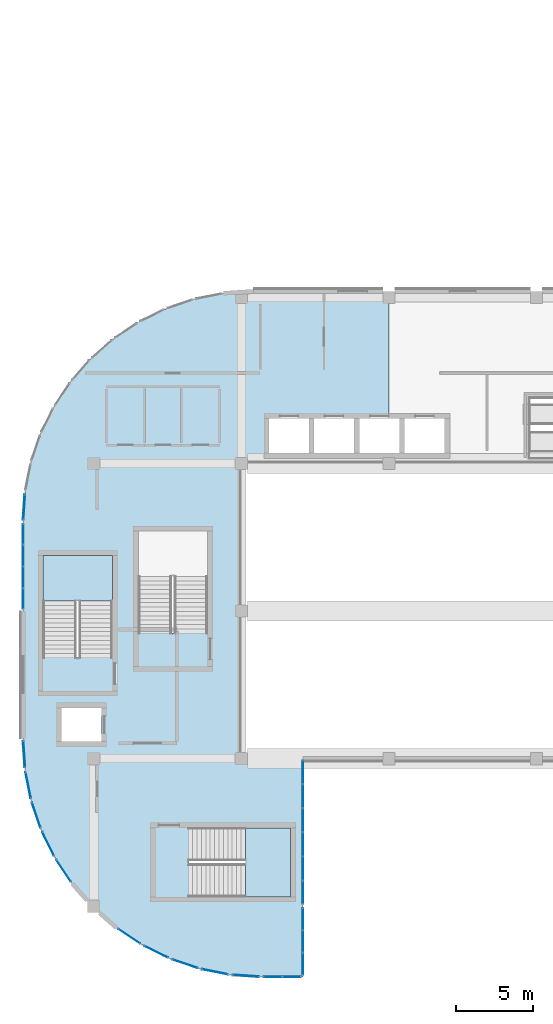
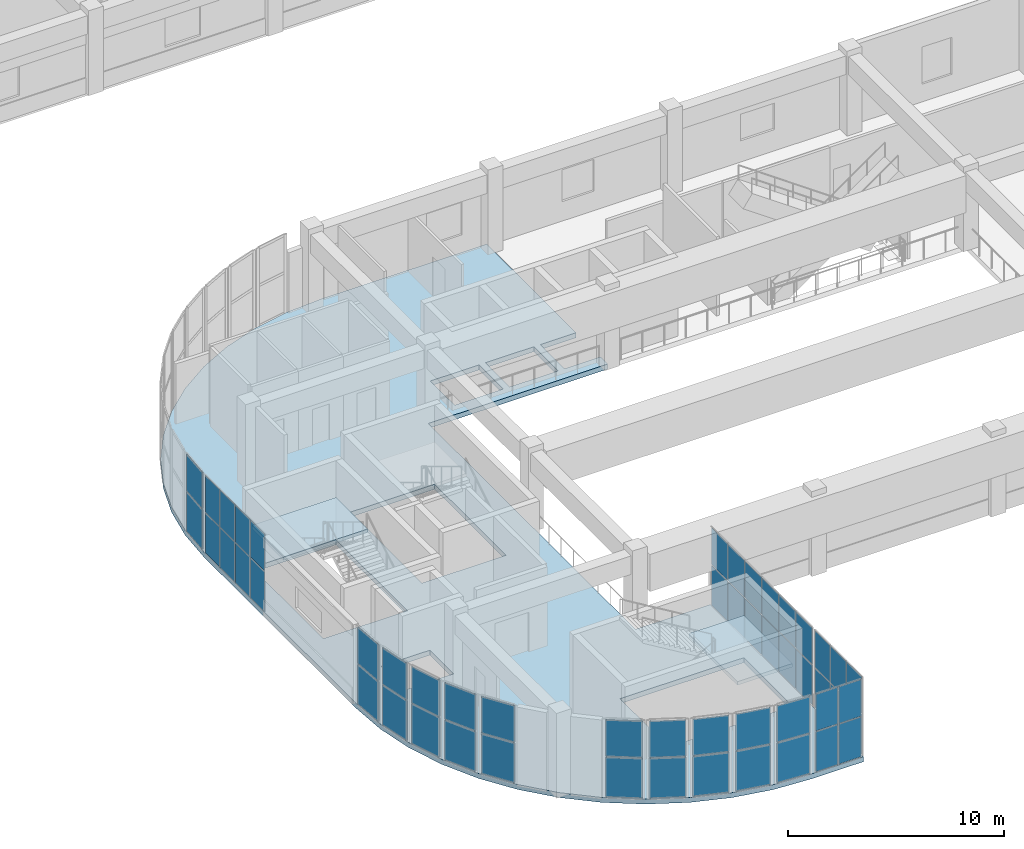
# One storey, part 16 of 33: 52 plates, 3 slabs, 17 elements without a shape of their own.
"""IFC4 building model written with IfcOpenShell, lengths in metres."""

from ifc_helpers import new_model, si_unit, direction, frame, origin, origin_2d, place, context, subcontext, project, spatial, polyline, rectangle, outline, extrude, material, layer, layer_set, type_object, element, aggregate, save


model = new_model("IFC4")

# Units and contexts
model_context = context("Model", 3, precision=1e-05, world=origin(), true_north=direction((0.0, 1.0)))
body_context = subcontext(model_context, "Body", "Model", "MODEL_VIEW")
ifc_project = project(units=[si_unit("LENGTHUNIT", "METRE"), si_unit("AREAUNIT", "SQUARE_METRE"), si_unit("VOLUMEUNIT", "CUBIC_METRE"), si_unit("PLANEANGLEUNIT", "RADIAN"), si_unit("MASSUNIT", "GRAM", prefix="KILO")], contexts=[model_context])

# Site, building, storey
site_placement = place(None, origin())
site = spatial("IfcSite", under=ifc_project, at=site_placement, CompositionType="ELEMENT")
building_placement = place(site_placement, origin())
building = spatial("IfcBuilding", under=site, at=building_placement, Name="Cendralis Terraced Arcade", CompositionType="ELEMENT")
storey_placement = place(building_placement, frame((0.0, 0.0, 19.800048828125)))
storey = spatial("IfcBuildingStorey", under=building, at=storey_placement, Name="L04", CompositionType="ELEMENT", Elevation=19.800048828125)

# Curtain wall, plates
ifc_material_1 = material(Name="Anodised aluminium EN AW-6063 T6", Category="aluminium")
ifc_layer_1 = layer(ifc_material_1, 0.1201171875, Name="CW-STORE-B")
ifc_layer_set_1 = layer_set([ifc_layer_1], Name="Anodised aluminium EN AW-6063 T6")
curtain_wall_type_1 = type_object("IfcCurtainWallType", Name="CW-STORE-B", PredefinedType="USERDEFINED", material=ifc_layer_set_1)
curtain_wall_1_placement = place(storey_placement, origin())
curtain_wall_1 = element("IfcCurtainWall", 1, at=curtain_wall_1_placement, inside=storey, type_object=curtain_wall_type_1, Name="Exterior Storefront Glazing CW-L04-0351", ObjectType="STOREFRONT GLAZING", PredefinedType="USERDEFINED")
ifc_material_2 = material(Name="Tempered solar control laminated glass", Category="glass")
ifc_layer_2 = layer(ifc_material_2, 0.02392578125, Name="CW-STORE-B-PNL")
ifc_layer_set_2 = layer_set([ifc_layer_2], Name="Tempered solar control laminated glass")
plate_type_1 = type_object("IfcPlateType", Name="CW-STORE-B-PNL", PredefinedType="CURTAIN_PANEL", material=ifc_layer_set_2)
plate_1_placement = place(storey_placement, frame((23.199951171875, 18.311279296875, 0.054931640625), z_axis=(0.0, 0.0, 1.0), x_axis=(0.0, -1.0, 0.0)))
plate_1 = element("IfcPlate", 2, at=plate_1_placement, type_object=plate_type_1, Name="CW-S2 panel 1.1", PredefinedType="CURTAIN_PANEL", context=body_context, shape_type="SweptSolid", body=[
    extrude(rectangle(XDim=1.487548828125, YDim=0.02392578125, at=origin_2d()), origin(), (0.0, 0.0, 1.0), 2.2470703125),
])
plate_2_placement = place(storey_placement, frame((23.199951171875, 18.311279296875, 2.357177734375), z_axis=(0.0, 0.0, 1.0), x_axis=(0.0, -1.0, 0.0)))
plate_2 = element("IfcPlate", 3, at=plate_2_placement, type_object=plate_type_1, Name="CW-S2 panel 1.2", PredefinedType="CURTAIN_PANEL", context=body_context, shape_type="SweptSolid", body=[
    extrude(rectangle(XDim=1.487548828125, YDim=0.02392578125, at=origin_2d()), origin(), (0.0, 0.0, 1.0), 2.06787109375),
])
plate_3_placement = place(storey_placement, frame((23.199951171875, 16.7548828125, 0.054931640625), z_axis=(0.0, 0.0, 1.0), x_axis=(0.0, -1.0, 0.0)))
plate_3 = element("IfcPlate", 4, at=plate_3_placement, type_object=plate_type_1, Name="CW-S2 panel 2.1", PredefinedType="CURTAIN_PANEL", context=body_context, shape_type="SweptSolid", body=[
    extrude(rectangle(XDim=1.514892578125, YDim=0.02392578125, at=origin_2d()), origin(), (0.0, 0.0, 1.0), 2.2470703125),
])
plate_4_placement = place(storey_placement, frame((23.199951171875, 16.7548828125, 2.357177734375), z_axis=(0.0, 0.0, 1.0), x_axis=(0.0, -1.0, 0.0)))
plate_4 = element("IfcPlate", 5, at=plate_4_placement, type_object=plate_type_1, Name="CW-S2 panel 2.2", PredefinedType="CURTAIN_PANEL", context=body_context, shape_type="SweptSolid", body=[
    extrude(rectangle(XDim=1.514892578125, YDim=0.02392578125, at=origin_2d()), origin(), (0.0, 0.0, 1.0), 2.06787109375),
])
plate_5_placement = place(storey_placement, frame((23.199951171875, 15.18505859375, 0.054931640625), z_axis=(0.0, 0.0, 1.0), x_axis=(0.0, -1.0, 0.0)))
plate_5 = element("IfcPlate", 6, at=plate_5_placement, type_object=plate_type_1, Name="CW-S2 panel 3.1", PredefinedType="CURTAIN_PANEL", context=body_context, shape_type="SweptSolid", body=[
    extrude(rectangle(XDim=1.514892578125, YDim=0.02392578125, at=origin_2d()), origin(), (0.0, 0.0, 1.0), 2.2470703125),
])
plate_6_placement = place(storey_placement, frame((23.199951171875, 15.18505859375, 2.357177734375), z_axis=(0.0, 0.0, 1.0), x_axis=(0.0, -1.0, 0.0)))
plate_6 = element("IfcPlate", 7, at=plate_6_placement, type_object=plate_type_1, Name="CW-S2 panel 3.2", PredefinedType="CURTAIN_PANEL", context=body_context, shape_type="SweptSolid", body=[
    extrude(rectangle(XDim=1.514892578125, YDim=0.02392578125, at=origin_2d()), origin(), (0.0, 0.0, 1.0), 2.06787109375),
])
plate_7_placement = place(storey_placement, frame((23.199951171875, 13.614990234375, 0.054931640625), z_axis=(0.0, 0.0, 1.0), x_axis=(0.0, -1.0, 0.0)))
plate_7 = element("IfcPlate", 8, at=plate_7_placement, type_object=plate_type_1, Name="CW-S2 panel 4.1", PredefinedType="CURTAIN_PANEL", context=body_context, shape_type="SweptSolid", body=[
    extrude(rectangle(XDim=1.514892578125, YDim=0.02392578125, at=origin_2d()), origin(), (0.0, 0.0, 1.0), 2.2470703125),
])
plate_8_placement = place(storey_placement, frame((23.199951171875, 13.614990234375, 2.357177734375), z_axis=(0.0, 0.0, 1.0), x_axis=(0.0, -1.0, 0.0)))
plate_8 = element("IfcPlate", 9, at=plate_8_placement, type_object=plate_type_1, Name="CW-S2 panel 4.2", PredefinedType="CURTAIN_PANEL", context=body_context, shape_type="SweptSolid", body=[
    extrude(rectangle(XDim=1.514892578125, YDim=0.02392578125, at=origin_2d()), origin(), (0.0, 0.0, 1.0), 2.06787109375),
])
plate_9_placement = place(storey_placement, frame((23.199951171875, 12.044921875, 0.054931640625), z_axis=(0.0, 0.0, 1.0), x_axis=(0.0, -1.0, 0.0)))
plate_9 = element("IfcPlate", 10, at=plate_9_placement, type_object=plate_type_1, Name="CW-S2 panel 5.1", PredefinedType="CURTAIN_PANEL", context=body_context, shape_type="SweptSolid", body=[
    extrude(rectangle(XDim=1.514892578125, YDim=0.02392578125, at=origin_2d()), origin(), (0.0, 0.0, 1.0), 2.2470703125),
])
plate_10_placement = place(storey_placement, frame((23.199951171875, 12.044921875, 2.357177734375), z_axis=(0.0, 0.0, 1.0), x_axis=(0.0, -1.0, 0.0)))
plate_10 = element("IfcPlate", 11, at=plate_10_placement, type_object=plate_type_1, Name="CW-S2 panel 5.2", PredefinedType="CURTAIN_PANEL", context=body_context, shape_type="SweptSolid", body=[
    extrude(rectangle(XDim=1.514892578125, YDim=0.02392578125, at=origin_2d()), origin(), (0.0, 0.0, 1.0), 2.06787109375),
])
plate_11_placement = place(storey_placement, frame((23.199951171875, 10.48876953125, 0.054931640625), z_axis=(0.0, 0.0, 1.0), x_axis=(0.0, -1.0, 0.0)))
plate_11 = element("IfcPlate", 12, at=plate_11_placement, type_object=plate_type_1, Name="CW-S2 panel 6.1", PredefinedType="CURTAIN_PANEL", context=body_context, shape_type="SweptSolid", body=[
    extrude(rectangle(XDim=1.487548828125, YDim=0.02392578125, at=origin_2d()), origin(), (0.0, 0.0, 1.0), 2.2470703125),
])
plate_12_placement = place(storey_placement, frame((23.199951171875, 10.48876953125, 2.357177734375), z_axis=(0.0, 0.0, 1.0), x_axis=(0.0, -1.0, 0.0)))
plate_12 = element("IfcPlate", 13, at=plate_12_placement, type_object=plate_type_1, Name="CW-S2 panel 6.2", PredefinedType="CURTAIN_PANEL", context=body_context, shape_type="SweptSolid", body=[
    extrude(rectangle(XDim=1.487548828125, YDim=0.02392578125, at=origin_2d()), origin(), (0.0, 0.0, 1.0), 2.06787109375),
])
aggregate(curtain_wall_1, [plate_1, plate_2, plate_3, plate_4, plate_5, plate_6, plate_7, plate_8, plate_9, plate_10, plate_11, plate_12])

curtain_wall_2_placement = place(storey_placement, origin())
curtain_wall_2 = element("IfcCurtainWall", 14, at=curtain_wall_2_placement, inside=storey, type_object=curtain_wall_type_1, Name="Exterior Storefront Glazing CW-L04-0352", ObjectType="STOREFRONT GLAZING", PredefinedType="USERDEFINED")
plate_13_placement = place(storey_placement, frame((23.199951171875, 8.759521484375, 0.054931640625), z_axis=(0.0, 0.0, 1.0), x_axis=(0.0, -1.0, 0.0)))
plate_13 = element("IfcPlate", 15, at=plate_13_placement, type_object=plate_type_1, Name="CW-S2 panel 1.1", PredefinedType="CURTAIN_PANEL", context=body_context, shape_type="SweptSolid", body=[
    extrude(rectangle(XDim=1.390869140625, YDim=0.02392578125, at=origin_2d()), origin(), (0.0, 0.0, 1.0), 2.2470703125),
])
plate_14_placement = place(storey_placement, frame((23.199951171875, 8.759521484375, 2.357177734375), z_axis=(0.0, 0.0, 1.0), x_axis=(0.0, -1.0, 0.0)))
plate_14 = element("IfcPlate", 16, at=plate_14_placement, type_object=plate_type_1, Name="CW-S2 panel 1.2", PredefinedType="CURTAIN_PANEL", context=body_context, shape_type="SweptSolid", body=[
    extrude(rectangle(XDim=1.390869140625, YDim=0.02392578125, at=origin_2d()), origin(), (0.0, 0.0, 1.0), 2.06787109375),
])
plate_15_placement = place(storey_placement, frame((23.199951171875, 7.300048828125, 0.054931640625), z_axis=(0.0, 0.0, 1.0), x_axis=(0.0, -1.0, 0.0)))
plate_15 = element("IfcPlate", 17, at=plate_15_placement, type_object=plate_type_1, Name="CW-S2 panel 2.1", PredefinedType="CURTAIN_PANEL", context=body_context, shape_type="SweptSolid", body=[
    extrude(rectangle(XDim=1.418212890625, YDim=0.02392578125, at=origin_2d()), origin(), (0.0, 0.0, 1.0), 2.2470703125),
])
plate_16_placement = place(storey_placement, frame((23.199951171875, 7.300048828125, 2.357177734375), z_axis=(0.0, 0.0, 1.0), x_axis=(0.0, -1.0, 0.0)))
plate_16 = element("IfcPlate", 18, at=plate_16_placement, type_object=plate_type_1, Name="CW-S2 panel 2.2", PredefinedType="CURTAIN_PANEL", context=body_context, shape_type="SweptSolid", body=[
    extrude(rectangle(XDim=1.418212890625, YDim=0.02392578125, at=origin_2d()), origin(), (0.0, 0.0, 1.0), 2.06787109375),
])
plate_17_placement = place(storey_placement, frame((23.199951171875, 5.84033203125, 0.054931640625), z_axis=(0.0, 0.0, 1.0), x_axis=(0.0, -1.0, 0.0)))
plate_17 = element("IfcPlate", 19, at=plate_17_placement, type_object=plate_type_1, Name="CW-S2 panel 3.1", PredefinedType="CURTAIN_PANEL", context=body_context, shape_type="SweptSolid", body=[
    extrude(rectangle(XDim=1.390869140625, YDim=0.02392578125, at=origin_2d()), origin(), (0.0, 0.0, 1.0), 2.2470703125),
])
plate_18_placement = place(storey_placement, frame((23.199951171875, 5.84033203125, 2.357177734375), z_axis=(0.0, 0.0, 1.0), x_axis=(0.0, -1.0, 0.0)))
plate_18 = element("IfcPlate", 20, at=plate_18_placement, type_object=plate_type_1, Name="CW-S2 panel 3.2", PredefinedType="CURTAIN_PANEL", context=body_context, shape_type="SweptSolid", body=[
    extrude(rectangle(XDim=1.390869140625, YDim=0.02392578125, at=origin_2d()), origin(), (0.0, 0.0, 1.0), 2.06787109375),
])
aggregate(curtain_wall_2, [plate_13, plate_14, plate_15, plate_16, plate_17, plate_18])

curtain_wall_3_placement = place(storey_placement, origin())
curtain_wall_3 = element("IfcCurtainWall", 21, at=curtain_wall_3_placement, inside=storey, type_object=curtain_wall_type_1, Name="Exterior Storefront Glazing CW-L04-0353", ObjectType="STOREFRONT GLAZING", PredefinedType="USERDEFINED")
plate_19_placement = place(storey_placement, frame((22.46630859375, 5.0, 0.054931640625), z_axis=(0.0, 0.0, 1.0), x_axis=(-1.0, 0.0, 0.0)))
plate_19 = element("IfcPlate", 22, at=plate_19_placement, type_object=plate_type_1, Name="CW-S2 panel 1.1", PredefinedType="CURTAIN_PANEL", context=body_context, shape_type="SweptSolid", body=[
    extrude(rectangle(XDim=1.177490234375, YDim=0.02392578125, at=origin_2d()), origin(), (0.0, 0.0, 1.0), 2.2470703125),
])
plate_20_placement = place(storey_placement, frame((22.46630859375, 5.0, 2.357177734375), z_axis=(0.0, 0.0, 1.0), x_axis=(-1.0, 0.0, 0.0)))
plate_20 = element("IfcPlate", 23, at=plate_20_placement, type_object=plate_type_1, Name="CW-S2 panel 1.2", PredefinedType="CURTAIN_PANEL", context=body_context, shape_type="SweptSolid", body=[
    extrude(rectangle(XDim=1.177490234375, YDim=0.02392578125, at=origin_2d()), origin(), (0.0, 0.0, 1.0), 2.06787109375),
])
plate_21_placement = place(storey_placement, frame((21.233642578125, 5.0, 0.054931640625), z_axis=(0.0, 0.0, 1.0), x_axis=(-1.0, 0.0, 0.0)))
plate_21 = element("IfcPlate", 24, at=plate_21_placement, type_object=plate_type_1, Name="CW-S2 panel 2.1", PredefinedType="CURTAIN_PANEL", context=body_context, shape_type="SweptSolid", body=[
    extrude(rectangle(XDim=1.177490234375, YDim=0.02392578125, at=origin_2d()), origin(), (0.0, 0.0, 1.0), 2.2470703125),
])
plate_22_placement = place(storey_placement, frame((21.233642578125, 5.0, 2.357177734375), z_axis=(0.0, 0.0, 1.0), x_axis=(-1.0, 0.0, 0.0)))
plate_22 = element("IfcPlate", 25, at=plate_22_placement, type_object=plate_type_1, Name="CW-S2 panel 2.2", PredefinedType="CURTAIN_PANEL", context=body_context, shape_type="SweptSolid", body=[
    extrude(rectangle(XDim=1.177490234375, YDim=0.02392578125, at=origin_2d()), origin(), (0.0, 0.0, 1.0), 2.06787109375),
])
aggregate(curtain_wall_3, [plate_19, plate_20, plate_21, plate_22])

curtain_wall_4_placement = place(storey_placement, origin())
curtain_wall_4 = element("IfcCurtainWall", 26, at=curtain_wall_4_placement, inside=storey, type_object=curtain_wall_type_1, Name="Exterior Storefront Glazing CW-L04-0364", ObjectType="STOREFRONT GLAZING", PredefinedType="USERDEFINED")
plate_23_placement = place(storey_placement, frame((5.0, 29.606201171875, 0.054931640625), z_axis=(0.0, 0.0, 1.0), x_axis=(0.0, 1.0, 0.0)))
plate_23 = element("IfcPlate", 27, at=plate_23_placement, type_object=plate_type_1, Name="CW-S2 panel 1.1", PredefinedType="CURTAIN_PANEL", context=body_context, shape_type="SweptSolid", body=[
    extrude(rectangle(XDim=1.322509765625, YDim=0.02392578125, at=origin_2d()), origin(), (0.0, 0.0, 1.0), 2.2470703125),
])
plate_24_placement = place(storey_placement, frame((5.0, 29.606201171875, 2.357177734375), z_axis=(0.0, 0.0, 1.0), x_axis=(0.0, 1.0, 0.0)))
plate_24 = element("IfcPlate", 28, at=plate_24_placement, type_object=plate_type_1, Name="CW-S2 panel 1.2", PredefinedType="CURTAIN_PANEL", context=body_context, shape_type="SweptSolid", body=[
    extrude(rectangle(XDim=1.322509765625, YDim=0.02392578125, at=origin_2d()), origin(), (0.0, 0.0, 1.0), 2.06787109375),
])
plate_25_placement = place(storey_placement, frame((5.0, 30.99755859375, 0.054931640625), z_axis=(0.0, 0.0, 1.0), x_axis=(0.0, 1.0, 0.0)))
plate_25 = element("IfcPlate", 29, at=plate_25_placement, type_object=plate_type_1, Name="CW-S2 panel 2.1", PredefinedType="CURTAIN_PANEL", context=body_context, shape_type="SweptSolid", body=[
    extrude(rectangle(XDim=1.35009765625, YDim=0.02392578125, at=origin_2d()), origin(), (0.0, 0.0, 1.0), 2.2470703125),
])
plate_26_placement = place(storey_placement, frame((5.0, 30.99755859375, 2.357177734375), z_axis=(0.0, 0.0, 1.0), x_axis=(0.0, 1.0, 0.0)))
plate_26 = element("IfcPlate", 30, at=plate_26_placement, type_object=plate_type_1, Name="CW-S2 panel 2.2", PredefinedType="CURTAIN_PANEL", context=body_context, shape_type="SweptSolid", body=[
    extrude(rectangle(XDim=1.35009765625, YDim=0.02392578125, at=origin_2d()), origin(), (0.0, 0.0, 1.0), 2.06787109375),
])
plate_27_placement = place(storey_placement, frame((5.0, 32.402587890625, 0.054931640625), z_axis=(0.0, 0.0, 1.0), x_axis=(0.0, 1.0, 0.0)))
plate_27 = element("IfcPlate", 31, at=plate_27_placement, type_object=plate_type_1, Name="CW-S2 panel 3.1", PredefinedType="CURTAIN_PANEL", context=body_context, shape_type="SweptSolid", body=[
    extrude(rectangle(XDim=1.35009765625, YDim=0.02392578125, at=origin_2d()), origin(), (0.0, 0.0, 1.0), 2.2470703125),
])
plate_28_placement = place(storey_placement, frame((5.0, 32.402587890625, 2.357177734375), z_axis=(0.0, 0.0, 1.0), x_axis=(0.0, 1.0, 0.0)))
plate_28 = element("IfcPlate", 32, at=plate_28_placement, type_object=plate_type_1, Name="CW-S2 panel 3.2", PredefinedType="CURTAIN_PANEL", context=body_context, shape_type="SweptSolid", body=[
    extrude(rectangle(XDim=1.35009765625, YDim=0.02392578125, at=origin_2d()), origin(), (0.0, 0.0, 1.0), 2.06787109375),
])
plate_29_placement = place(storey_placement, frame((5.0, 33.793701171875, 0.054931640625), z_axis=(0.0, 0.0, 1.0), x_axis=(0.0, 1.0, 0.0)))
plate_29 = element("IfcPlate", 33, at=plate_29_placement, type_object=plate_type_1, Name="CW-S2 panel 4.1", PredefinedType="CURTAIN_PANEL", context=body_context, shape_type="SweptSolid", body=[
    extrude(rectangle(XDim=1.322509765625, YDim=0.02392578125, at=origin_2d()), origin(), (0.0, 0.0, 1.0), 2.2470703125),
])
plate_30_placement = place(storey_placement, frame((5.0, 33.793701171875, 2.357177734375), z_axis=(0.0, 0.0, 1.0), x_axis=(0.0, 1.0, 0.0)))
plate_30 = element("IfcPlate", 34, at=plate_30_placement, type_object=plate_type_1, Name="CW-S2 panel 4.2", PredefinedType="CURTAIN_PANEL", context=body_context, shape_type="SweptSolid", body=[
    extrude(rectangle(XDim=1.322509765625, YDim=0.02392578125, at=origin_2d()), origin(), (0.0, 0.0, 1.0), 2.06787109375),
])
aggregate(curtain_wall_4, [plate_23, plate_24, plate_25, plate_26, plate_27, plate_28, plate_29, plate_30])

ifc_layer_3 = layer(ifc_material_1, 0.179931640625, Name="CW-UNIT-A")
ifc_layer_set_3 = layer_set([ifc_layer_3], Name="Anodised aluminium EN AW-6063 T6")
curtain_wall_type_2 = type_object("IfcCurtainWallType", Name="CW-UNIT-A", PredefinedType="USERDEFINED", material=ifc_layer_set_3)
curtain_wall_5_placement = place(storey_placement, origin())
curtain_wall_5 = element("IfcCurtainWall", 35, at=curtain_wall_5_placement, inside=storey, type_object=curtain_wall_type_2, Name="Exterior Unitised Facade CW-L04-0337", ObjectType="UNITISED FACADE", PredefinedType="USERDEFINED")
ifc_layer_4 = layer(ifc_material_2, 0.035888671875, Name="CW-UNIT-A-PNL")
ifc_layer_set_4 = layer_set([ifc_layer_4], Name="Tempered solar control laminated glass")
plate_type_2 = type_object("IfcPlateType", Name="CW-UNIT-A-PNL", PredefinedType="CURTAIN_PANEL", material=ifc_layer_set_4)
plate_31_placement = place(storey_placement, frame((5.064208984375, 35.578857421875, 0.06494140625), z_axis=(0.0, 0.0, 1.0), x_axis=(0.065371873798, 0.997860971336, 0.0)))
plate_31 = element("IfcPlate", 36, at=plate_31_placement, type_object=plate_type_2, Name="CW-U1 panel 1.1", PredefinedType="CURTAIN_PANEL", context=body_context, shape_type="SweptSolid", body=[
    extrude(rectangle(XDim=1.652099609375, YDim=0.035888671875, at=origin_2d()), origin(), (0.0, 0.0, 1.0), 2.232177734375),
])
plate_32_placement = place(storey_placement, frame((5.064208984375, 35.578857421875, 2.36181640625), z_axis=(0.0, 0.0, 1.0), x_axis=(0.065371873798, 0.997860971336, 0.0)))
plate_32 = element("IfcPlate", 37, at=plate_32_placement, type_object=plate_type_2, Name="CW-U1 panel 1.2", PredefinedType="CURTAIN_PANEL", context=body_context, shape_type="SweptSolid", body=[
    extrude(rectangle(XDim=1.652099609375, YDim=0.035888671875, at=origin_2d()), origin(), (0.0, 0.0, 1.0), 2.052978515625),
])
aggregate(curtain_wall_5, [plate_31, plate_32])

curtain_wall_6_placement = place(storey_placement, origin())
curtain_wall_6 = element("IfcCurtainWall", 38, at=curtain_wall_6_placement, inside=storey, type_object=curtain_wall_type_2, Name="Exterior Unitised Facade CW-L04-0354", ObjectType="UNITISED FACADE", PredefinedType="USERDEFINED")
plate_33_placement = place(storey_placement, frame((19.48828125, 5.06640625, 0.06494140625), z_axis=(0.0, 0.0, 1.0), x_axis=(-0.997860192175, 0.065383766124, 0.0)))
plate_33 = element("IfcPlate", 39, at=plate_33_placement, type_object=plate_type_2, Name="CW-U1 panel 1.1", PredefinedType="CURTAIN_PANEL", context=body_context, shape_type="SweptSolid", body=[
    extrude(rectangle(XDim=1.717529296875, YDim=0.035888671875, at=origin_2d()), origin(), (0.0, 0.0, 1.0), 2.232177734375),
])
plate_34_placement = place(storey_placement, frame((19.48828125, 5.06640625, 2.36181640625), z_axis=(0.0, 0.0, 1.0), x_axis=(-0.997860192175, 0.065383766124, 0.0)))
plate_34 = element("IfcPlate", 40, at=plate_34_placement, type_object=plate_type_2, Name="CW-U1 panel 1.2", PredefinedType="CURTAIN_PANEL", context=body_context, shape_type="SweptSolid", body=[
    extrude(rectangle(XDim=1.717529296875, YDim=0.035888671875, at=origin_2d()), origin(), (0.0, 0.0, 1.0), 2.052978515625),
])
aggregate(curtain_wall_6, [plate_33, plate_34])

curtain_wall_7_placement = place(storey_placement, origin())
curtain_wall_7 = element("IfcCurtainWall", 41, at=curtain_wall_7_placement, inside=storey, type_object=curtain_wall_type_2, Name="Exterior Unitised Facade CW-L04-0355", ObjectType="UNITISED FACADE", PredefinedType="USERDEFINED")
plate_35_placement = place(storey_placement, frame((17.482666015625, 5.330322265625, 0.06494140625), z_axis=(0.0, 0.0, 1.0), x_axis=(-0.980796601395, 0.195033398913, 0.0)))
plate_35 = element("IfcPlate", 42, at=plate_35_placement, type_object=plate_type_2, Name="CW-U1 panel 1.1", PredefinedType="CURTAIN_PANEL", context=body_context, shape_type="SweptSolid", body=[
    extrude(rectangle(XDim=1.71728515625, YDim=0.035888671875, at=origin_2d()), origin(), (0.0, 0.0, 1.0), 2.232177734375),
])
plate_36_placement = place(storey_placement, frame((17.482666015625, 5.330322265625, 2.36181640625), z_axis=(0.0, 0.0, 1.0), x_axis=(-0.980796601395, 0.195033398913, 0.0)))
plate_36 = element("IfcPlate", 43, at=plate_36_placement, type_object=plate_type_2, Name="CW-U1 panel 1.2", PredefinedType="CURTAIN_PANEL", context=body_context, shape_type="SweptSolid", body=[
    extrude(rectangle(XDim=1.71728515625, YDim=0.035888671875, at=origin_2d()), origin(), (0.0, 0.0, 1.0), 2.052978515625),
])
aggregate(curtain_wall_7, [plate_35, plate_36])

curtain_wall_8_placement = place(storey_placement, origin())
curtain_wall_8 = element("IfcCurtainWall", 44, at=curtain_wall_8_placement, inside=storey, type_object=curtain_wall_type_2, Name="Exterior Unitised Facade CW-L04-0356", ObjectType="UNITISED FACADE", PredefinedType="USERDEFINED")
plate_37_placement = place(storey_placement, frame((15.5283203125, 5.85400390625, 0.06494140625), z_axis=(0.0, 0.0, 1.0), x_axis=(-0.946909571674, 0.32150002033, 0.0)))
plate_37 = element("IfcPlate", 45, at=plate_37_placement, type_object=plate_type_2, Name="CW-U1 panel 1.1", PredefinedType="CURTAIN_PANEL", context=body_context, shape_type="SweptSolid", body=[
    extrude(rectangle(XDim=1.717529296875, YDim=0.035888671875, at=origin_2d()), origin(), (0.0, 0.0, 1.0), 2.232177734375),
])
plate_38_placement = place(storey_placement, frame((15.5283203125, 5.85400390625, 2.36181640625), z_axis=(0.0, 0.0, 1.0), x_axis=(-0.946909571674, 0.32150002033, 0.0)))
plate_38 = element("IfcPlate", 46, at=plate_38_placement, type_object=plate_type_2, Name="CW-U1 panel 1.2", PredefinedType="CURTAIN_PANEL", context=body_context, shape_type="SweptSolid", body=[
    extrude(rectangle(XDim=1.717529296875, YDim=0.035888671875, at=origin_2d()), origin(), (0.0, 0.0, 1.0), 2.052978515625),
])
aggregate(curtain_wall_8, [plate_37, plate_38])

curtain_wall_9_placement = place(storey_placement, origin())
curtain_wall_9 = element("IfcCurtainWall", 47, at=curtain_wall_9_placement, inside=storey, type_object=curtain_wall_type_2, Name="Exterior Unitised Facade CW-L04-0357", ObjectType="UNITISED FACADE", PredefinedType="USERDEFINED")
plate_39_placement = place(storey_placement, frame((13.6591796875, 6.628173828125, 0.06494140625), z_axis=(0.0, 0.0, 1.0), x_axis=(-0.896881752867, 0.442270416572, 0.0)))
plate_39 = element("IfcPlate", 48, at=plate_39_placement, type_object=plate_type_2, Name="CW-U1 panel 1.1", PredefinedType="CURTAIN_PANEL", context=body_context, shape_type="SweptSolid", body=[
    extrude(rectangle(XDim=1.717529296875, YDim=0.035888671875, at=origin_2d()), origin(), (0.0, 0.0, 1.0), 2.232177734375),
])
plate_40_placement = place(storey_placement, frame((13.6591796875, 6.628173828125, 2.36181640625), z_axis=(0.0, 0.0, 1.0), x_axis=(-0.896881752867, 0.442270416572, 0.0)))
plate_40 = element("IfcPlate", 49, at=plate_40_placement, type_object=plate_type_2, Name="CW-U1 panel 1.2", PredefinedType="CURTAIN_PANEL", context=body_context, shape_type="SweptSolid", body=[
    extrude(rectangle(XDim=1.717529296875, YDim=0.035888671875, at=origin_2d()), origin(), (0.0, 0.0, 1.0), 2.052978515625),
])
aggregate(curtain_wall_9, [plate_39, plate_40])

curtain_wall_10_placement = place(storey_placement, origin())
curtain_wall_10 = element("IfcCurtainWall", 50, at=curtain_wall_10_placement, inside=storey, type_object=curtain_wall_type_2, Name="Exterior Unitised Facade CW-L04-0358", ObjectType="UNITISED FACADE", PredefinedType="USERDEFINED")
plate_41_placement = place(storey_placement, frame((11.906982421875, 7.639892578125, 0.06494140625), z_axis=(0.0, 0.0, 1.0), x_axis=(-0.831483619587, 0.555549269065, 0.0)))
plate_41 = element("IfcPlate", 51, at=plate_41_placement, type_object=plate_type_2, Name="CW-U1 panel 1.1", PredefinedType="CURTAIN_PANEL", context=body_context, shape_type="SweptSolid", body=[
    extrude(rectangle(XDim=1.717529296875, YDim=0.035888671875, at=origin_2d()), origin(), (0.0, 0.0, 1.0), 2.232177734375),
])
plate_42_placement = place(storey_placement, frame((11.906982421875, 7.639892578125, 2.36181640625), z_axis=(0.0, 0.0, 1.0), x_axis=(-0.831483619587, 0.555549269065, 0.0)))
plate_42 = element("IfcPlate", 52, at=plate_42_placement, type_object=plate_type_2, Name="CW-U1 panel 1.2", PredefinedType="CURTAIN_PANEL", context=body_context, shape_type="SweptSolid", body=[
    extrude(rectangle(XDim=1.717529296875, YDim=0.035888671875, at=origin_2d()), origin(), (0.0, 0.0, 1.0), 2.052978515625),
])
aggregate(curtain_wall_10, [plate_41, plate_42])

curtain_wall_11_placement = place(storey_placement, origin())
curtain_wall_11 = element("IfcCurtainWall", 53, at=curtain_wall_11_placement, inside=storey, type_object=curtain_wall_type_2, Name="Exterior Unitised Facade CW-L04-0359", ObjectType="UNITISED FACADE", PredefinedType="USERDEFINED")
plate_43_placement = place(storey_placement, frame((7.639892578125, 11.906982421875, 0.06494140625), z_axis=(0.0, 0.0, 1.0), x_axis=(-0.555549269065, 0.831483619587, 0.0)))
plate_43 = element("IfcPlate", 54, at=plate_43_placement, type_object=plate_type_2, Name="CW-U1 panel 1.1", PredefinedType="CURTAIN_PANEL", context=body_context, shape_type="SweptSolid", body=[
    extrude(rectangle(XDim=1.717529296875, YDim=0.035888671875, at=origin_2d()), origin(), (0.0, 0.0, 1.0), 2.232177734375),
])
plate_44_placement = place(storey_placement, frame((7.639892578125, 11.906982421875, 2.36181640625), z_axis=(0.0, 0.0, 1.0), x_axis=(-0.555549269065, 0.831483619587, 0.0)))
plate_44 = element("IfcPlate", 55, at=plate_44_placement, type_object=plate_type_2, Name="CW-U1 panel 1.2", PredefinedType="CURTAIN_PANEL", context=body_context, shape_type="SweptSolid", body=[
    extrude(rectangle(XDim=1.717529296875, YDim=0.035888671875, at=origin_2d()), origin(), (0.0, 0.0, 1.0), 2.052978515625),
])
aggregate(curtain_wall_11, [plate_43, plate_44])

curtain_wall_12_placement = place(storey_placement, origin())
curtain_wall_12 = element("IfcCurtainWall", 56, at=curtain_wall_12_placement, inside=storey, type_object=curtain_wall_type_2, Name="Exterior Unitised Facade CW-L04-0360", ObjectType="UNITISED FACADE", PredefinedType="USERDEFINED")
plate_45_placement = place(storey_placement, frame((6.628173828125, 13.6591796875, 0.06494140625), z_axis=(0.0, 0.0, 1.0), x_axis=(-0.442270416572, 0.896881752867, 0.0)))
plate_45 = element("IfcPlate", 57, at=plate_45_placement, type_object=plate_type_2, Name="CW-U1 panel 1.1", PredefinedType="CURTAIN_PANEL", context=body_context, shape_type="SweptSolid", body=[
    extrude(rectangle(XDim=1.717529296875, YDim=0.035888671875, at=origin_2d()), origin(), (0.0, 0.0, 1.0), 2.232177734375),
])
plate_46_placement = place(storey_placement, frame((6.628173828125, 13.6591796875, 2.36181640625), z_axis=(0.0, 0.0, 1.0), x_axis=(-0.442270416572, 0.896881752867, 0.0)))
plate_46 = element("IfcPlate", 58, at=plate_46_placement, type_object=plate_type_2, Name="CW-U1 panel 1.2", PredefinedType="CURTAIN_PANEL", context=body_context, shape_type="SweptSolid", body=[
    extrude(rectangle(XDim=1.717529296875, YDim=0.035888671875, at=origin_2d()), origin(), (0.0, 0.0, 1.0), 2.052978515625),
])
aggregate(curtain_wall_12, [plate_45, plate_46])

curtain_wall_13_placement = place(storey_placement, origin())
curtain_wall_13 = element("IfcCurtainWall", 59, at=curtain_wall_13_placement, inside=storey, type_object=curtain_wall_type_2, Name="Exterior Unitised Facade CW-L04-0361", ObjectType="UNITISED FACADE", PredefinedType="USERDEFINED")
plate_47_placement = place(storey_placement, frame((5.85400390625, 15.5283203125, 0.06494140625), z_axis=(0.0, 0.0, 1.0), x_axis=(-0.32150002033, 0.946909571674, 0.0)))
plate_47 = element("IfcPlate", 60, at=plate_47_placement, type_object=plate_type_2, Name="CW-U1 panel 1.1", PredefinedType="CURTAIN_PANEL", context=body_context, shape_type="SweptSolid", body=[
    extrude(rectangle(XDim=1.717529296875, YDim=0.035888671875, at=origin_2d()), origin(), (0.0, 0.0, 1.0), 2.232177734375),
])
plate_48_placement = place(storey_placement, frame((5.85400390625, 15.5283203125, 2.36181640625), z_axis=(0.0, 0.0, 1.0), x_axis=(-0.32150002033, 0.946909571674, 0.0)))
plate_48 = element("IfcPlate", 61, at=plate_48_placement, type_object=plate_type_2, Name="CW-U1 panel 1.2", PredefinedType="CURTAIN_PANEL", context=body_context, shape_type="SweptSolid", body=[
    extrude(rectangle(XDim=1.717529296875, YDim=0.035888671875, at=origin_2d()), origin(), (0.0, 0.0, 1.0), 2.052978515625),
])
aggregate(curtain_wall_13, [plate_47, plate_48])

curtain_wall_14_placement = place(storey_placement, origin())
curtain_wall_14 = element("IfcCurtainWall", 62, at=curtain_wall_14_placement, inside=storey, type_object=curtain_wall_type_2, Name="Exterior Unitised Facade CW-L04-0362", ObjectType="UNITISED FACADE", PredefinedType="USERDEFINED")
plate_49_placement = place(storey_placement, frame((5.330322265625, 17.482666015625, 0.06494140625), z_axis=(0.0, 0.0, 1.0), x_axis=(-0.195033398913, 0.980796601395, 0.0)))
plate_49 = element("IfcPlate", 63, at=plate_49_placement, type_object=plate_type_2, Name="CW-U1 panel 1.1", PredefinedType="CURTAIN_PANEL", context=body_context, shape_type="SweptSolid", body=[
    extrude(rectangle(XDim=1.71728515625, YDim=0.035888671875, at=origin_2d()), origin(), (0.0, 0.0, 1.0), 2.232177734375),
])
plate_50_placement = place(storey_placement, frame((5.330322265625, 17.482666015625, 2.36181640625), z_axis=(0.0, 0.0, 1.0), x_axis=(-0.195033398913, 0.980796601395, 0.0)))
plate_50 = element("IfcPlate", 64, at=plate_50_placement, type_object=plate_type_2, Name="CW-U1 panel 1.2", PredefinedType="CURTAIN_PANEL", context=body_context, shape_type="SweptSolid", body=[
    extrude(rectangle(XDim=1.71728515625, YDim=0.035888671875, at=origin_2d()), origin(), (0.0, 0.0, 1.0), 2.052978515625),
])
aggregate(curtain_wall_14, [plate_49, plate_50])

curtain_wall_15_placement = place(storey_placement, origin())
curtain_wall_15 = element("IfcCurtainWall", 65, at=curtain_wall_15_placement, inside=storey, type_object=curtain_wall_type_2, Name="Exterior Unitised Facade CW-L04-0363", ObjectType="UNITISED FACADE", PredefinedType="USERDEFINED")
plate_51_placement = place(storey_placement, frame((5.06640625, 19.48828125, 0.06494140625), z_axis=(0.0, 0.0, 1.0), x_axis=(-0.065383766124, 0.997860192175, 0.0)))
plate_51 = element("IfcPlate", 66, at=plate_51_placement, type_object=plate_type_2, Name="CW-U1 panel 1.1", PredefinedType="CURTAIN_PANEL", context=body_context, shape_type="SweptSolid", body=[
    extrude(rectangle(XDim=1.717529296875, YDim=0.035888671875, at=origin_2d()), origin(), (0.0, 0.0, 1.0), 2.232177734375),
])
plate_52_placement = place(storey_placement, frame((5.06640625, 19.48828125, 2.36181640625), z_axis=(0.0, 0.0, 1.0), x_axis=(-0.065383766124, 0.997860192175, 0.0)))
plate_52 = element("IfcPlate", 67, at=plate_52_placement, type_object=plate_type_2, Name="CW-U1 panel 1.2", PredefinedType="CURTAIN_PANEL", context=body_context, shape_type="SweptSolid", body=[
    extrude(rectangle(XDim=1.717529296875, YDim=0.035888671875, at=origin_2d()), origin(), (0.0, 0.0, 1.0), 2.052978515625),
])
aggregate(curtain_wall_15, [plate_51, plate_52])

# Slab
ifc_material_3 = material(Name="Concrete f'c 35 MPa", Category="concrete")
ifc_layer_5 = layer(ifc_material_3, 0.280029296875, Name="SLB-L04-280")
ifc_layer_set_5 = layer_set([ifc_layer_5], Name="Concrete f'c 35 MPa")
slab_type_1 = type_object("IfcSlabType", Name="SLB-L04-280", PredefinedType="FLOOR", material=ifc_layer_set_5)
slab_1_placement = place(storey_placement, frame((0.0, 0.0, -0.280029296875)))
element("IfcSlab", 68, at=slab_1_placement, inside=storey, type_object=slab_type_1, Name="Reinforced Concrete Floor Slab SLB-L04-V1-W1-1", PredefinedType="FLOOR", context=body_context, shape_type="SweptSolid", body=[
    extrude(outline(polyline([(5.12841796875, 36.557861328125), (5.510986328125, 38.482421875), (6.141845703125, 40.34033203125), (7.009521484375, 42.10009765625), (8.099609375, 43.7314453125), (9.393310546875, 45.20654296875), (10.86865234375, 46.500244140625), (12.5, 47.59033203125), (14.259765625, 48.458251953125), (16.11767578125, 49.0888671875), (18.0419921875, 49.4716796875), (20.0, 49.60009765625), (28.800048828125, 49.60009765625), (28.800048828125, 41.324951171875), (26.8798828125, 41.324951171875), (26.8798828125, 39.074951171875), (28.800048828125, 39.074951171875), (28.800048828125, 38.39990234375), (19.199951171875, 38.39990234375), (19.199951171875, 19.199951171875), (23.199951171875, 19.199951171875), (23.199951171875, 5.0), (20.5, 5.0), (18.476806640625, 5.132568359375), (16.48828125, 5.528076171875), (14.568359375, 6.179931640625), (12.75, 7.07666015625), (11.064208984375, 8.202880859375), (9.539794921875, 9.539794921875), (8.202880859375, 11.064208984375), (7.07666015625, 12.75), (6.179931640625, 14.568359375), (5.528076171875, 16.48828125), (5.132568359375, 18.476806640625), (5.0, 20.5), (5.0, 34.60009765625), (5.12841796875, 36.557861328125)]), holes=[polyline([(22.39990234375, 14.699951171875), (15.780029296875, 14.699951171875), (15.780029296875, 10.199951171875), (22.39990234375, 10.199951171875), (22.39990234375, 14.699951171875)]), polyline([(10.10009765625, 22.5), (7.5, 22.5), (7.5, 20.300048828125), (10.10009765625, 20.300048828125), (10.10009765625, 22.5)]), polyline([(10.800048828125, 32.39990234375), (6.300048828125, 32.39990234375), (6.300048828125, 25.780029296875), (10.800048828125, 25.780029296875), (10.800048828125, 32.39990234375)]), polyline([(17.0, 27.3798828125), (17.0, 34.0), (12.5, 34.0), (12.5, 27.3798828125), (17.0, 27.3798828125)]), polyline([(23.60009765625, 39.074951171875), (23.60009765625, 41.324951171875), (21.0, 41.324951171875), (21.0, 39.074951171875), (23.60009765625, 39.074951171875)]), polyline([(26.5400390625, 41.324951171875), (23.93994140625, 41.324951171875), (23.93994140625, 39.074951171875), (26.5400390625, 39.074951171875), (26.5400390625, 41.324951171875)])]), origin(), (0.0, 0.0, 1.0), 0.280029296875),
])

# Stair, slab
stair_type = type_object("IfcStairType", Name="STR-W215-H480", PredefinedType="HALF_TURN_STAIR", material=ifc_material_3)
stair_1_placement = place(storey_placement, origin())
stair_1 = element("IfcStair", 69, at=stair_1_placement, inside=storey, type_object=stair_type, Name="L04 Protected Exit Stair ST-01", PredefinedType="HALF_TURN_STAIR")
ifc_layer_6 = layer(ifc_material_3, 0.199951171875, Name="SLB-STAIR-LND-200")
ifc_layer_set_6 = layer_set([ifc_layer_6], Name="Concrete f'c 35 MPa")
slab_type_2 = type_object("IfcSlabType", Name="SLB-STAIR-LND-200", PredefinedType="LANDING", material=ifc_layer_set_6)
slab_2_placement = place(storey_placement, frame((0.0, 0.0, 2.199951171875)))
slab_2 = element("IfcSlab", 70, at=slab_2_placement, type_object=slab_type_2, Name="ST-01 landing 1", PredefinedType="LANDING", context=body_context, shape_type="SweptSolid", body=[
    extrude(outline(polyline([(10.800048828125, 29.455078125), (10.800048828125, 32.39990234375), (6.300048828125, 32.39990234375), (6.300048828125, 29.455078125), (10.800048828125, 29.455078125)])), origin(), (0.0, 0.0, 1.0), 0.199951171875),
])
aggregate(stair_1, [slab_2])

stair_2_placement = place(storey_placement, origin())
stair_2 = element("IfcStair", 71, at=stair_2_placement, inside=storey, type_object=stair_type, Name="L04 Protected Exit Stair ST-02", PredefinedType="HALF_TURN_STAIR")
slab_3_placement = place(storey_placement, frame((0.0, 0.0, 2.199951171875)))
slab_3 = element("IfcSlab", 72, at=slab_3_placement, type_object=slab_type_2, Name="ST-02 landing 1", PredefinedType="LANDING", context=body_context, shape_type="SweptSolid", body=[
    extrude(outline(polyline([(19.455078125, 10.199951171875), (22.39990234375, 10.199951171875), (22.39990234375, 14.699951171875), (19.455078125, 14.699951171875), (19.455078125, 10.199951171875)])), origin(), (0.0, 0.0, 1.0), 0.199951171875),
])
aggregate(stair_2, [slab_3])

save(model, "model.ifc")
